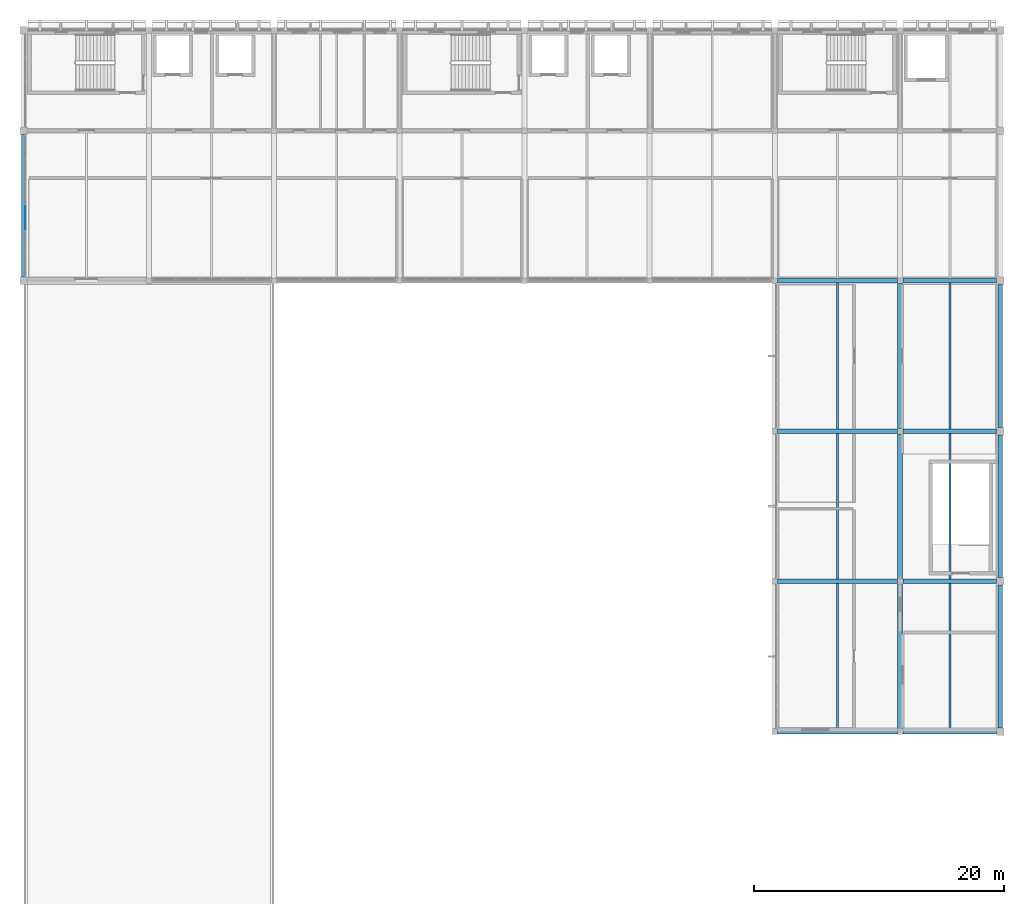
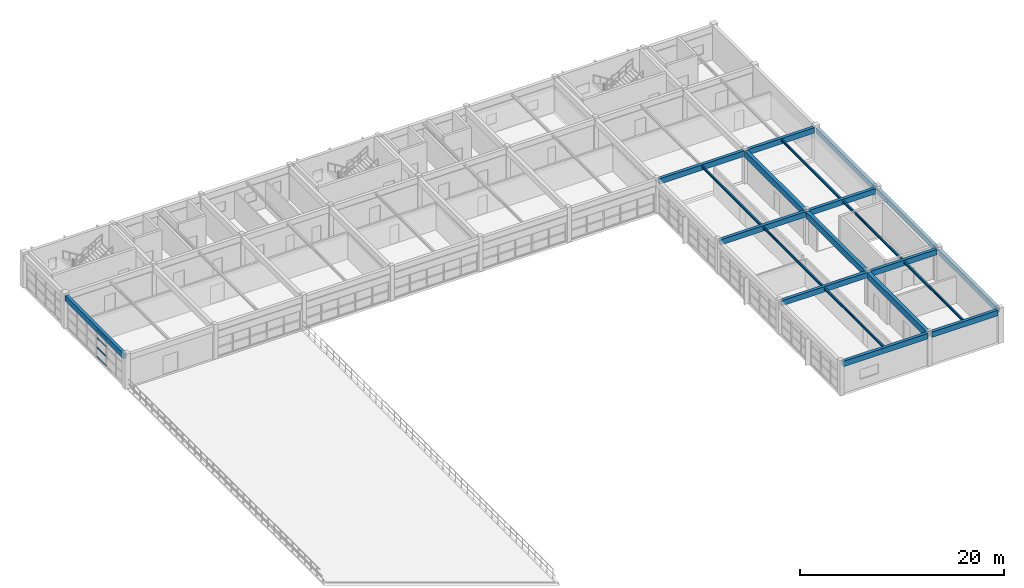
# One storey, part 8 of 21: 21 beams, 4 members, 1 element without a shape of its own.
"""IFC4 building model written with IfcOpenShell, lengths in metres."""

from ifc_helpers import new_model, si_unit, direction, frame, origin, origin_2d, place, context, subcontext, project, spatial, rectangle, i_section, extrude, material, layer, layer_set, material_profile, profile_set, type_object, element, aggregate, save


model = new_model("IFC4")

# Units and contexts
model_context = context("Model", 3, precision=1e-05, world=origin(), true_north=direction((0.0, 1.0)))
body_context = subcontext(model_context, "Body", "Model", "MODEL_VIEW")
ifc_project = project(units=[si_unit("LENGTHUNIT", "METRE"), si_unit("AREAUNIT", "SQUARE_METRE"), si_unit("VOLUMEUNIT", "CUBIC_METRE"), si_unit("PLANEANGLEUNIT", "RADIAN"), si_unit("MASSUNIT", "GRAM", prefix="KILO")], contexts=[model_context])

# Site, building, storey
site_placement = place(None, origin())
site = spatial("IfcSite", under=ifc_project, at=site_placement, CompositionType="ELEMENT")
building_placement = place(site_placement, origin())
building = spatial("IfcBuilding", under=site, at=building_placement, Name="Kivolera Central Railway Station", CompositionType="ELEMENT")
storey_placement = place(building_placement, frame((0.0, 0.0, 22.800048828125)))
storey = spatial("IfcBuildingStorey", under=building, at=storey_placement, Name="L05", CompositionType="ELEMENT", Elevation=22.800048828125)

# Beams
ifc_material_1 = material(Name="Steel S355", Category="steel")
ifc_material_profile_1 = material_profile(ifc_material_1, i_section(OverallWidth=0.14990234375, OverallDepth=0.300048828125, WebThickness=0.007080078125, FlangeThickness=0.0107421875, FilletRadius=0.014892578125, at=origin_2d()), Name="IPE 300")
ifc_profile_set_1 = profile_set([ifc_material_profile_1], Name="Steel S355")
beam_type_1 = type_object("IfcBeamType", Name="BM-JST-IPE300", PredefinedType="JOIST", material=ifc_profile_set_1)
for number, where, z_axis, x_axis, name in (
    (1, (183.0, 78.1669921875, 3.787841796875), (0.0, 1.0, 0.0), (-1.0, 0.0, 0.0), "L05 Floor Joist 18-19/G-H"),
    (2, (183.0, 90.1669921875, 3.787841796875), (0.0, 1.0, 0.0), (-1.0, 0.0, 0.0), "L05 Floor Joist 18-19/H-J"),
    (3, (183.0, 102.1669921875, 3.787841796875), (0.0, 1.0, 0.0), (-1.0, 0.0, 0.0), "L05 Floor Joist 18-19/J-K"),
    (4, (192.0, 78.1669921875, 3.787841796875), (0.0, 1.0, 0.0), (-1.0, 0.0, 0.0), "L05 Floor Joist 19-20/G-H"),
    (5, (192.0, 90.1669921875, 3.787841796875), (0.0, 1.0, 0.0), (-1.0, 0.0, 0.0), "L05 Floor Joist 19-20/H-J"),
    (6, (192.0, 102.1669921875, 3.787841796875), (0.0, 1.0, 0.0), (-1.0, 0.0, 0.0), "L05 Floor Joist 19-20/J-K"),
):
    element("IfcBeam", number, at=place(storey_placement, frame(where, z_axis=z_axis, x_axis=x_axis)), inside=storey, type_object=beam_type_1, Name=name, PredefinedType="JOIST", context=body_context, shape_type="SweptSolid", body=[
        extrude(i_section(OverallWidth=0.14990234375, OverallDepth=0.300048828125, WebThickness=0.007080078125, FlangeThickness=0.0107421875, FilletRadius=0.014892578125, at=origin_2d()), origin(), (0.0, 0.0, 1.0), 11.666015625),
    ])
ifc_material_2 = material(Name="Concrete C40/50", Category="concrete")
ifc_material_profile_2 = material_profile(ifc_material_2, rectangle(XDim=0.35009765625, YDim=0.64990234375, at=origin_2d()), Name="RC 350x650")
ifc_profile_set_2 = profile_set([ifc_material_profile_2], Name="Concrete C40/50")
beam_type_2 = type_object("IfcBeamType", Name="BM-RC-350x650", PredefinedType="BEAM", material=ifc_profile_set_2)
beam_1_placement = place(storey_placement, frame((178.217041015625, 78.0, 3.625), z_axis=(1.0, 0.0, 0.0), x_axis=(0.0, 1.0, 0.0)))
element("IfcBeam", 7, at=beam_1_placement, inside=storey, type_object=beam_type_2, Name="L05 Wing X-Beam G:18-19", PredefinedType="BEAM", context=body_context, shape_type="SweptSolid", body=[
    extrude(rectangle(XDim=0.35009765625, YDim=0.64990234375, at=origin_2d()), origin(), (0.0, 0.0, 1.0), 9.56591796875),
])
beam_2_placement = place(storey_placement, frame((188.217041015625, 78.0, 3.625), z_axis=(1.0, 0.0, 0.0), x_axis=(0.0, 1.0, 0.0)))
element("IfcBeam", 8, at=beam_2_placement, inside=storey, type_object=beam_type_2, Name="L05 Wing X-Beam G:19-20", PredefinedType="BEAM", context=body_context, shape_type="SweptSolid", body=[
    extrude(rectangle(XDim=0.35009765625, YDim=0.64990234375, at=origin_2d()), origin(), (0.0, 0.0, 1.0), 7.490966796875),
])
beam_3_placement = place(storey_placement, frame((178.217041015625, 90.0, 3.625), z_axis=(1.0, 0.0, 0.0), x_axis=(0.0, 1.0, 0.0)))
element("IfcBeam", 9, at=beam_3_placement, inside=storey, type_object=beam_type_2, Name="L05 Wing X-Beam H:18-19", PredefinedType="BEAM", context=body_context, shape_type="SweptSolid", body=[
    extrude(rectangle(XDim=0.35009765625, YDim=0.64990234375, at=origin_2d()), origin(), (0.0, 0.0, 1.0), 9.56591796875),
])
beam_4_placement = place(storey_placement, frame((188.217041015625, 90.0, 3.625), z_axis=(1.0, 0.0, 0.0), x_axis=(0.0, 1.0, 0.0)))
element("IfcBeam", 10, at=beam_4_placement, inside=storey, type_object=beam_type_2, Name="L05 Wing X-Beam H:19-20", PredefinedType="BEAM", context=body_context, shape_type="SweptSolid", body=[
    extrude(rectangle(XDim=0.35009765625, YDim=0.64990234375, at=origin_2d()), origin(), (0.0, 0.0, 1.0), 7.490966796875),
])
beam_5_placement = place(storey_placement, frame((178.217041015625, 102.0, 3.625), z_axis=(1.0, 0.0, 0.0), x_axis=(0.0, 1.0, 0.0)))
element("IfcBeam", 11, at=beam_5_placement, inside=storey, type_object=beam_type_2, Name="L05 Wing X-Beam J:18-19", PredefinedType="BEAM", context=body_context, shape_type="SweptSolid", body=[
    extrude(rectangle(XDim=0.35009765625, YDim=0.64990234375, at=origin_2d()), origin(), (0.0, 0.0, 1.0), 9.56591796875),
])
beam_6_placement = place(storey_placement, frame((188.217041015625, 102.0, 3.625), z_axis=(1.0, 0.0, 0.0), x_axis=(0.0, 1.0, 0.0)))
element("IfcBeam", 12, at=beam_6_placement, inside=storey, type_object=beam_type_2, Name="L05 Wing X-Beam J:19-20", PredefinedType="BEAM", context=body_context, shape_type="SweptSolid", body=[
    extrude(rectangle(XDim=0.35009765625, YDim=0.64990234375, at=origin_2d()), origin(), (0.0, 0.0, 1.0), 7.490966796875),
])
beam_7_placement = place(storey_placement, frame((178.217041015625, 114.0, 3.625), z_axis=(1.0, 0.0, 0.0), x_axis=(0.0, 1.0, 0.0)))
element("IfcBeam", 13, at=beam_7_placement, inside=storey, type_object=beam_type_2, Name="L05 Wing X-Beam K:18-19", PredefinedType="BEAM", context=body_context, shape_type="SweptSolid", body=[
    extrude(rectangle(XDim=0.35009765625, YDim=0.64990234375, at=origin_2d()), origin(), (0.0, 0.0, 1.0), 9.56591796875),
])
beam_8_placement = place(storey_placement, frame((188.217041015625, 114.0, 3.625), z_axis=(1.0, 0.0, 0.0), x_axis=(0.0, 1.0, 0.0)))
element("IfcBeam", 14, at=beam_8_placement, inside=storey, type_object=beam_type_2, Name="L05 Wing X-Beam K:19-20", PredefinedType="BEAM", context=body_context, shape_type="SweptSolid", body=[
    extrude(rectangle(XDim=0.35009765625, YDim=0.64990234375, at=origin_2d()), origin(), (0.0, 0.0, 1.0), 7.490966796875),
])
ifc_material_profile_3 = material_profile(ifc_material_2, rectangle(XDim=0.39990234375, YDim=0.75, at=origin_2d()), Name="RC 400x750")
ifc_profile_set_3 = profile_set([ifc_material_profile_3], Name="Concrete C40/50")
beam_type_3 = type_object("IfcBeamType", Name="BM-RC-400x750", PredefinedType="BEAM", material=ifc_profile_set_3)
for number, where, z_axis, x_axis, name in (
    (15, (188.0, 78.217041015625, 3.574951171875), (0.0, 1.0, 0.0), (-1.0, 0.0, 0.0), "L05 Wing Y-Beam 19:G-H"),
    (16, (188.0, 90.217041015625, 3.574951171875), (0.0, 1.0, 0.0), (-1.0, 0.0, 0.0), "L05 Wing Y-Beam 19:H-J"),
    (17, (188.0, 102.217041015625, 3.574951171875), (0.0, 1.0, 0.0), (-1.0, 0.0, 0.0), "L05 Wing Y-Beam 19:J-K"),
):
    element("IfcBeam", number, at=place(storey_placement, frame(where, z_axis=z_axis, x_axis=x_axis)), inside=storey, type_object=beam_type_3, Name=name, PredefinedType="BEAM", context=body_context, shape_type="SweptSolid", body=[
        extrude(rectangle(XDim=0.39990234375, YDim=0.75, at=origin_2d()), origin(), (0.0, 0.0, 1.0), 11.56591796875),
    ])
ifc_material_profile_4 = material_profile(ifc_material_2, rectangle(XDim=0.35009765625, YDim=0.64990234375, at=origin_2d()), Name="RC 350x650")
ifc_profile_set_4 = profile_set([ifc_material_profile_4], Name="Concrete C40/50")
beam_type_4 = type_object("IfcBeamType", Name="BM-SPN-RC650", PredefinedType="SPANDREL", material=ifc_profile_set_4)
for number, where, z_axis, x_axis, name in (
    (18, (118.0, 114.2919921875, 3.625), (0.0, 1.0, 0.0), (-1.0, 0.0, 0.0), "L05 Wing Y-Beam 12:K-L"),
    (19, (196.0, 78.2919921875, 3.625), (0.0, 1.0, 0.0), (-1.0, 0.0, 0.0), "L05 Wing Y-Beam 20:G-H"),
    (20, (196.0, 90.2919921875, 3.625), (0.0, 1.0, 0.0), (-1.0, 0.0, 0.0), "L05 Wing Y-Beam 20:H-J"),
    (21, (196.0, 102.2919921875, 3.625), (0.0, 1.0, 0.0), (-1.0, 0.0, 0.0), "L05 Wing Y-Beam 20:J-K"),
):
    element("IfcBeam", number, at=place(storey_placement, frame(where, z_axis=z_axis, x_axis=x_axis)), inside=storey, type_object=beam_type_4, Name=name, PredefinedType="SPANDREL", context=body_context, shape_type="SweptSolid", body=[
        extrude(rectangle(XDim=0.35009765625, YDim=0.64990234375, at=origin_2d()), origin(), (0.0, 0.0, 1.0), 11.416015625),
    ])

# Curtain wall, members
ifc_material_3 = material(Name="Anodised aluminium", Category="aluminium")
ifc_layer = layer(ifc_material_3, 0.179931640625, Name="Anodised aluminium")
ifc_layer_set = layer_set([ifc_layer], Name="Anodised aluminium")
curtain_wall_type = type_object("IfcCurtainWallType", Name="CW-SYS-33", PredefinedType="NOTDEFINED", material=ifc_layer_set)
curtain_wall_placement = place(storey_placement, origin())
curtain_wall = element("IfcCurtainWall", 22, at=curtain_wall_placement, inside=storey, type_object=curtain_wall_type, Name="L05 Curtain Wall CW-L05-WEST-K", PredefinedType="NOTDEFINED")
ifc_material_profile_5 = material_profile(ifc_material_3, rectangle(XDim=0.06005859375, YDim=0.1201171875, at=origin_2d()), Name="ALU TRAN 60x120")
ifc_profile_set_5 = profile_set([ifc_material_profile_5], Name="Anodised aluminium")
member_type = type_object("IfcMemberType", Name="CWM-TRN-2", PredefinedType="USERDEFINED", material=ifc_profile_set_5)
member_1_placement = place(storey_placement, frame((118.135009765625, 118.12841796875, 0.030029296875), z_axis=(0.0, 1.0, 0.0), x_axis=(-1.0, 0.0, 0.0)))
member_1 = element("IfcMember", 23, at=member_1_placement, type_object=member_type, Name="CW-33 transom 3.1", ObjectType="TRANSOM", PredefinedType="USERDEFINED", context=body_context, shape_type="SweptSolid", body=[
    extrude(rectangle(XDim=0.06005859375, YDim=0.1201171875, at=origin_2d()), origin(), (0.0, 0.0, 1.0), 1.841552734375),
])
member_2_placement = place(storey_placement, frame((118.135009765625, 118.12841796875, 1.150634765625), z_axis=(0.0, 1.0, 0.0), x_axis=(-1.0, 0.0, 0.0)))
member_2 = element("IfcMember", 24, at=member_2_placement, type_object=member_type, Name="CW-33 transom 3.2", ObjectType="TRANSOM", PredefinedType="USERDEFINED", context=body_context, shape_type="SweptSolid", body=[
    extrude(rectangle(XDim=0.06005859375, YDim=0.1201171875, at=origin_2d()), origin(), (0.0, 0.0, 1.0), 1.841552734375),
])
member_3_placement = place(storey_placement, frame((118.135009765625, 118.12841796875, 2.301513671875), z_axis=(0.0, 1.0, 0.0), x_axis=(-1.0, 0.0, 0.0)))
member_3 = element("IfcMember", 25, at=member_3_placement, type_object=member_type, Name="CW-33 transom 3.3", ObjectType="TRANSOM", PredefinedType="USERDEFINED", context=body_context, shape_type="SweptSolid", body=[
    extrude(rectangle(XDim=0.06005859375, YDim=0.1201171875, at=origin_2d()), origin(), (0.0, 0.0, 1.0), 1.841552734375),
])
member_4_placement = place(storey_placement, frame((118.135009765625, 118.12841796875, 3.258056640625), z_axis=(0.0, 1.0, 0.0), x_axis=(-1.0, 0.0, 0.0)))
member_4 = element("IfcMember", 26, at=member_4_placement, type_object=member_type, Name="CW-33 transom 3.4", ObjectType="TRANSOM", PredefinedType="USERDEFINED", context=body_context, shape_type="SweptSolid", body=[
    extrude(rectangle(XDim=0.06005859375, YDim=0.1201171875, at=origin_2d()), origin(), (0.0, 0.0, 1.0), 1.841552734375),
])
aggregate(curtain_wall, [member_1, member_2, member_3, member_4])

save(model, "model.ifc")
